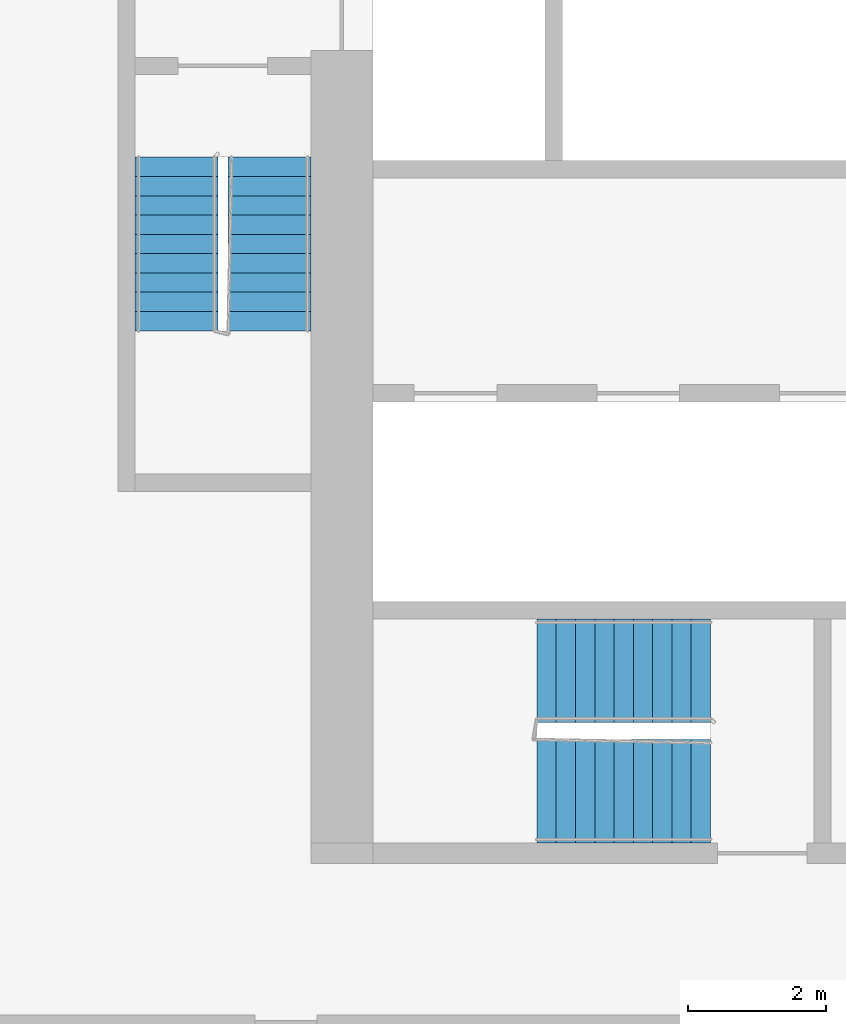
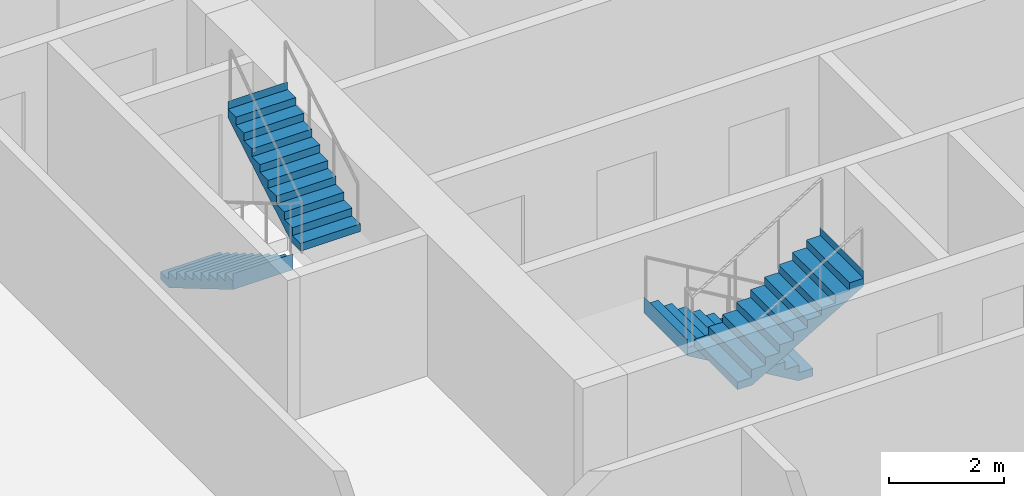
# One storey, part 9 of 12: 4 stair flights, 2 elements without a shape of their own.
"""IFC4 building model written with IfcOpenShell, lengths in metres."""

from ifc_helpers import new_model, si_unit, direction, frame, origin, place, context, subcontext, project, spatial, faceted_brep, material, type_object, element, aggregate, save


model = new_model("IFC4")

# Units and contexts
model_context = context("Model", 3, precision=1e-05, world=origin(), true_north=direction((0.0, 1.0)))
body_context = subcontext(model_context, "Body", "Model", "MODEL_VIEW")
ifc_project = project(units=[si_unit("LENGTHUNIT", "METRE"), si_unit("AREAUNIT", "SQUARE_METRE"), si_unit("VOLUMEUNIT", "CUBIC_METRE"), si_unit("PLANEANGLEUNIT", "RADIAN"), si_unit("MASSUNIT", "GRAM", prefix="KILO")], contexts=[model_context])

# Site, building, storey
site_placement = place(None, origin())
site = spatial("IfcSite", under=ifc_project, at=site_placement, CompositionType="ELEMENT")
building_placement = place(site_placement, origin())
building = spatial("IfcBuilding", under=site, at=building_placement, Name="Kajstack Hotel Tower", CompositionType="ELEMENT")
storey_placement = place(building_placement, frame((0.0, 0.0, 96.300048828125)))
storey = spatial("IfcBuildingStorey", under=building, at=storey_placement, Name="L20", CompositionType="ELEMENT", Elevation=96.300048828125)

# Stair, stair flights
ifc_material = material(Name="Concrete C40/50", Category="concrete")
stair_type_1 = type_object("IfcStairType", Name="Exit stair 1200", PredefinedType="HALF_TURN_STAIR", material=ifc_material)
stair_1_placement = place(storey_placement, origin())
stair_1 = element("IfcStair", 1, at=stair_1_placement, inside=storey, type_object=stair_type_1, Name="L20 stair W1", PredefinedType="HALF_TURN_STAIR")
stair_flight_type_1 = type_object("IfcStairFlightType", Name="Exit stair flight 1200", PredefinedType="STRAIGHT", material=ifc_material)
stair_flight_1_placement = place(storey_placement, frame((-33.449951171875, -5.25, 0.0), z_axis=(0.0, 0.0, 1.0), x_axis=(0.0, -1.0, 0.0)))
stair_flight_1 = element("IfcStairFlight", 2, at=stair_flight_1_placement, type_object=stair_flight_type_1, Name="W1 flight 1", NumberOfRisers=10, NumberOfTreads=9, PredefinedType="STRAIGHT", RiserHeight=0.165, TreadLength=0.28, context=body_context, shape_type="Brep", body=[
    faceted_brep([(0.295654296875, -0.60009765625, 0.0), (2.5205078125, -0.60009765625, 1.31103515625), (2.5205078125, -0.60009765625, 1.64990234375), (2.52001953125, -0.60009765625, 1.64990234375), (2.52001953125, -0.60009765625, 1.485107421875), (2.239990234375, -0.60009765625, 1.485107421875), (2.239990234375, -0.60009765625, 1.320068359375), (1.9599609375, -0.60009765625, 1.320068359375), (1.9599609375, -0.60009765625, 1.155029296875), (1.679931640625, -0.60009765625, 1.155029296875), (1.679931640625, -0.60009765625, 0.989990234375), (1.39990234375, -0.60009765625, 0.989990234375), (1.39990234375, -0.60009765625, 0.824951171875), (1.1201171875, -0.60009765625, 0.824951171875), (1.1201171875, -0.60009765625, 0.659912109375), (0.840087890625, -0.60009765625, 0.659912109375), (0.840087890625, -0.60009765625, 0.4951171875), (0.56005859375, -0.60009765625, 0.4951171875), (0.56005859375, -0.60009765625, 0.330078125), (0.280029296875, -0.60009765625, 0.330078125), (0.280029296875, -0.60009765625, 0.1650390625), (-0.00048828125, -0.60009765625, 0.1650390625), (-0.00048828125, -0.60009765625, 0.0), (-0.00048828125, 0.60009765625, 0.0), (-0.00048828125, 0.60009765625, 0.1650390625), (0.280029296875, 0.60009765625, 0.1650390625), (0.280029296875, 0.60009765625, 0.330078125), (0.56005859375, 0.60009765625, 0.330078125), (0.56005859375, 0.60009765625, 0.4951171875), (0.840087890625, 0.60009765625, 0.4951171875), (0.840087890625, 0.60009765625, 0.659912109375), (1.1201171875, 0.60009765625, 0.659912109375), (1.1201171875, 0.60009765625, 0.824951171875), (1.39990234375, 0.60009765625, 0.824951171875), (1.39990234375, 0.60009765625, 0.989990234375), (1.679931640625, 0.60009765625, 0.989990234375), (1.679931640625, 0.60009765625, 1.155029296875), (1.9599609375, 0.60009765625, 1.155029296875), (1.9599609375, 0.60009765625, 1.320068359375), (2.239990234375, 0.60009765625, 1.320068359375), (2.239990234375, 0.60009765625, 1.485107421875), (2.52001953125, 0.60009765625, 1.485107421875), (2.52001953125, 0.60009765625, 1.64990234375), (2.5205078125, 0.60009765625, 1.64990234375), (2.5205078125, 0.60009765625, 1.31103515625), (0.295654296875, 0.60009765625, 0.0), (-0.00048828125, -0.300048828125, 0.1650390625), (-0.00048828125, 0.0, 0.1650390625), (-0.00048828125, 0.300048828125, 0.1650390625), (-0.00048828125, 0.300048828125, 0.0), (-0.00048828125, 0.0, 0.0), (-0.00048828125, -0.300048828125, 0.0), (0.280029296875, -0.300048828125, 0.1650390625), (0.280029296875, 0.0, 0.1650390625), (0.280029296875, 0.300048828125, 0.1650390625), (0.280029296875, -0.300048828125, 0.330078125), (0.280029296875, 0.0, 0.330078125), (0.280029296875, 0.300048828125, 0.330078125), (0.56005859375, -0.300048828125, 0.330078125), (0.56005859375, 0.0, 0.330078125), (0.56005859375, 0.300048828125, 0.330078125), (0.56005859375, -0.300048828125, 0.4951171875), (0.56005859375, 0.0, 0.4951171875), (0.56005859375, 0.300048828125, 0.4951171875), (0.840087890625, -0.300048828125, 0.4951171875), (0.840087890625, 0.0, 0.4951171875), (0.840087890625, 0.300048828125, 0.4951171875), (0.840087890625, -0.300048828125, 0.659912109375), (0.840087890625, 0.0, 0.659912109375), (0.840087890625, 0.300048828125, 0.659912109375), (1.1201171875, -0.300048828125, 0.659912109375), (1.1201171875, 0.0, 0.659912109375), (1.1201171875, 0.300048828125, 0.659912109375), (1.1201171875, -0.300048828125, 0.824951171875), (1.1201171875, 0.0, 0.824951171875), (1.1201171875, 0.300048828125, 0.824951171875), (1.39990234375, -0.300048828125, 0.824951171875), (1.39990234375, 0.0, 0.824951171875), (1.39990234375, 0.300048828125, 0.824951171875), (1.39990234375, -0.300048828125, 0.989990234375), (1.39990234375, 0.0, 0.989990234375), (1.39990234375, 0.300048828125, 0.989990234375), (1.679931640625, -0.300048828125, 0.989990234375), (1.679931640625, 0.0, 0.989990234375), (1.679931640625, 0.300048828125, 0.989990234375), (1.679931640625, -0.300048828125, 1.155029296875), (1.679931640625, 0.0, 1.155029296875), (1.679931640625, 0.300048828125, 1.155029296875), (1.9599609375, -0.300048828125, 1.155029296875), (1.9599609375, 0.0, 1.155029296875), (1.9599609375, 0.300048828125, 1.155029296875), (1.9599609375, -0.300048828125, 1.320068359375), (1.9599609375, 0.0, 1.320068359375), (1.9599609375, 0.300048828125, 1.320068359375), (2.239990234375, -0.300048828125, 1.320068359375), (2.239990234375, 0.0, 1.320068359375), (2.239990234375, 0.300048828125, 1.320068359375), (2.239990234375, -0.300048828125, 1.485107421875), (2.239990234375, 0.0, 1.485107421875), (2.239990234375, 0.300048828125, 1.485107421875), (2.52001953125, -0.300048828125, 1.485107421875), (2.52001953125, 0.0, 1.485107421875), (2.52001953125, 0.300048828125, 1.485107421875), (2.52001953125, -0.300048828125, 1.64990234375), (2.52001953125, 0.0, 1.64990234375), (2.52001953125, 0.300048828125, 1.64990234375), (2.5205078125, -0.300048828125, 1.64990234375), (2.5205078125, 0.0, 1.64990234375), (2.5205078125, 0.300048828125, 1.64990234375), (2.5205078125, -0.300048828125, 1.31103515625), (2.5205078125, 0.0, 1.31103515625), (2.5205078125, 0.300048828125, 1.31103515625), (0.295654296875, -0.300048828125, 0.0), (0.295654296875, 0.0, 0.0), (0.295654296875, 0.300048828125, 0.0)], [[[0, 1, 2, 3, 4, 5, 6, 7, 8, 9, 10, 11, 12, 13, 14, 15, 16, 17, 18, 19, 20, 21, 22]], [[23, 24, 25, 26, 27, 28, 29, 30, 31, 32, 33, 34, 35, 36, 37, 38, 39, 40, 41, 42, 43, 44, 45]], [[21, 46, 47, 48, 24, 23, 49, 50, 51, 22]], [[20, 52, 53, 54, 25, 24, 48, 47, 46, 21]], [[19, 55, 56, 57, 26, 25, 54, 53, 52, 20]], [[18, 58, 59, 60, 27, 26, 57, 56, 55, 19]], [[17, 61, 62, 63, 28, 27, 60, 59, 58, 18]], [[16, 64, 65, 66, 29, 28, 63, 62, 61, 17]], [[15, 67, 68, 69, 30, 29, 66, 65, 64, 16]], [[14, 70, 71, 72, 31, 30, 69, 68, 67, 15]], [[13, 73, 74, 75, 32, 31, 72, 71, 70, 14]], [[12, 76, 77, 78, 33, 32, 75, 74, 73, 13]], [[11, 79, 80, 81, 34, 33, 78, 77, 76, 12]], [[10, 82, 83, 84, 35, 34, 81, 80, 79, 11]], [[9, 85, 86, 87, 36, 35, 84, 83, 82, 10]], [[8, 88, 89, 90, 37, 36, 87, 86, 85, 9]], [[7, 91, 92, 93, 38, 37, 90, 89, 88, 8]], [[6, 94, 95, 96, 39, 38, 93, 92, 91, 7]], [[5, 97, 98, 99, 40, 39, 96, 95, 94, 6]], [[4, 100, 101, 102, 41, 40, 99, 98, 97, 5]], [[3, 103, 104, 105, 42, 41, 102, 101, 100, 4]], [[2, 106, 107, 108, 43, 42, 105, 104, 103, 3]], [[1, 109, 110, 111, 44, 43, 108, 107, 106, 2]], [[0, 112, 113, 114, 45, 44, 111, 110, 109, 1]], [[22, 51, 50, 49, 23, 45, 114, 113, 112, 0]]]),
])
stair_flight_2_placement = place(storey_placement, frame((-32.10009765625, -7.77001953125, 1.64990234375), z_axis=(0.0, 0.0, 1.0), x_axis=(0.0, 1.0, 0.0)))
stair_flight_2 = element("IfcStairFlight", 3, at=stair_flight_2_placement, type_object=stair_flight_type_1, Name="W1 flight 2", NumberOfRisers=10, NumberOfTreads=9, PredefinedType="STRAIGHT", RiserHeight=0.165, TreadLength=0.28, context=body_context, shape_type="Brep", body=[
    faceted_brep([(0.295654296875, -0.60009765625, 0.0), (2.5205078125, -0.60009765625, 1.31103515625), (2.5205078125, -0.60009765625, 1.64990234375), (2.52001953125, -0.60009765625, 1.64990234375), (2.52001953125, -0.60009765625, 1.485107421875), (2.239990234375, -0.60009765625, 1.485107421875), (2.239990234375, -0.60009765625, 1.320068359375), (1.9599609375, -0.60009765625, 1.320068359375), (1.9599609375, -0.60009765625, 1.155029296875), (1.679931640625, -0.60009765625, 1.155029296875), (1.679931640625, -0.60009765625, 0.989990234375), (1.39990234375, -0.60009765625, 0.989990234375), (1.39990234375, -0.60009765625, 0.824951171875), (1.1201171875, -0.60009765625, 0.824951171875), (1.1201171875, -0.60009765625, 0.659912109375), (0.840087890625, -0.60009765625, 0.659912109375), (0.840087890625, -0.60009765625, 0.4951171875), (0.56005859375, -0.60009765625, 0.4951171875), (0.56005859375, -0.60009765625, 0.330078125), (0.280029296875, -0.60009765625, 0.330078125), (0.280029296875, -0.60009765625, 0.1650390625), (-0.00048828125, -0.60009765625, 0.1650390625), (-0.00048828125, -0.60009765625, 0.0), (-0.00048828125, 0.60009765625, 0.0), (-0.00048828125, 0.60009765625, 0.1650390625), (0.280029296875, 0.60009765625, 0.1650390625), (0.280029296875, 0.60009765625, 0.330078125), (0.56005859375, 0.60009765625, 0.330078125), (0.56005859375, 0.60009765625, 0.4951171875), (0.840087890625, 0.60009765625, 0.4951171875), (0.840087890625, 0.60009765625, 0.659912109375), (1.1201171875, 0.60009765625, 0.659912109375), (1.1201171875, 0.60009765625, 0.824951171875), (1.39990234375, 0.60009765625, 0.824951171875), (1.39990234375, 0.60009765625, 0.989990234375), (1.679931640625, 0.60009765625, 0.989990234375), (1.679931640625, 0.60009765625, 1.155029296875), (1.9599609375, 0.60009765625, 1.155029296875), (1.9599609375, 0.60009765625, 1.320068359375), (2.239990234375, 0.60009765625, 1.320068359375), (2.239990234375, 0.60009765625, 1.485107421875), (2.52001953125, 0.60009765625, 1.485107421875), (2.52001953125, 0.60009765625, 1.64990234375), (2.5205078125, 0.60009765625, 1.64990234375), (2.5205078125, 0.60009765625, 1.31103515625), (0.295654296875, 0.60009765625, 0.0), (-0.00048828125, -0.300048828125, 0.1650390625), (-0.00048828125, 0.0, 0.1650390625), (-0.00048828125, 0.300048828125, 0.1650390625), (-0.00048828125, 0.300048828125, 0.0), (-0.00048828125, 0.0, 0.0), (-0.00048828125, -0.300048828125, 0.0), (0.280029296875, -0.300048828125, 0.1650390625), (0.280029296875, 0.0, 0.1650390625), (0.280029296875, 0.300048828125, 0.1650390625), (0.280029296875, -0.300048828125, 0.330078125), (0.280029296875, 0.0, 0.330078125), (0.280029296875, 0.300048828125, 0.330078125), (0.56005859375, -0.300048828125, 0.330078125), (0.56005859375, 0.0, 0.330078125), (0.56005859375, 0.300048828125, 0.330078125), (0.56005859375, -0.300048828125, 0.4951171875), (0.56005859375, 0.0, 0.4951171875), (0.56005859375, 0.300048828125, 0.4951171875), (0.840087890625, -0.300048828125, 0.4951171875), (0.840087890625, 0.0, 0.4951171875), (0.840087890625, 0.300048828125, 0.4951171875), (0.840087890625, -0.300048828125, 0.659912109375), (0.840087890625, 0.0, 0.659912109375), (0.840087890625, 0.300048828125, 0.659912109375), (1.1201171875, -0.300048828125, 0.659912109375), (1.1201171875, 0.0, 0.659912109375), (1.1201171875, 0.300048828125, 0.659912109375), (1.1201171875, -0.300048828125, 0.824951171875), (1.1201171875, 0.0, 0.824951171875), (1.1201171875, 0.300048828125, 0.824951171875), (1.39990234375, -0.300048828125, 0.824951171875), (1.39990234375, 0.0, 0.824951171875), (1.39990234375, 0.300048828125, 0.824951171875), (1.39990234375, -0.300048828125, 0.989990234375), (1.39990234375, 0.0, 0.989990234375), (1.39990234375, 0.300048828125, 0.989990234375), (1.679931640625, -0.300048828125, 0.989990234375), (1.679931640625, 0.0, 0.989990234375), (1.679931640625, 0.300048828125, 0.989990234375), (1.679931640625, -0.300048828125, 1.155029296875), (1.679931640625, 0.0, 1.155029296875), (1.679931640625, 0.300048828125, 1.155029296875), (1.9599609375, -0.300048828125, 1.155029296875), (1.9599609375, 0.0, 1.155029296875), (1.9599609375, 0.300048828125, 1.155029296875), (1.9599609375, -0.300048828125, 1.320068359375), (1.9599609375, 0.0, 1.320068359375), (1.9599609375, 0.300048828125, 1.320068359375), (2.239990234375, -0.300048828125, 1.320068359375), (2.239990234375, 0.0, 1.320068359375), (2.239990234375, 0.300048828125, 1.320068359375), (2.239990234375, -0.300048828125, 1.485107421875), (2.239990234375, 0.0, 1.485107421875), (2.239990234375, 0.300048828125, 1.485107421875), (2.52001953125, -0.300048828125, 1.485107421875), (2.52001953125, 0.0, 1.485107421875), (2.52001953125, 0.300048828125, 1.485107421875), (2.52001953125, -0.300048828125, 1.64990234375), (2.52001953125, 0.0, 1.64990234375), (2.52001953125, 0.300048828125, 1.64990234375), (2.5205078125, -0.300048828125, 1.64990234375), (2.5205078125, 0.0, 1.64990234375), (2.5205078125, 0.300048828125, 1.64990234375), (2.5205078125, -0.300048828125, 1.31103515625), (2.5205078125, 0.0, 1.31103515625), (2.5205078125, 0.300048828125, 1.31103515625), (0.295654296875, -0.300048828125, 0.0), (0.295654296875, 0.0, 0.0), (0.295654296875, 0.300048828125, 0.0)], [[[0, 1, 2, 3, 4, 5, 6, 7, 8, 9, 10, 11, 12, 13, 14, 15, 16, 17, 18, 19, 20, 21, 22]], [[23, 24, 25, 26, 27, 28, 29, 30, 31, 32, 33, 34, 35, 36, 37, 38, 39, 40, 41, 42, 43, 44, 45]], [[21, 46, 47, 48, 24, 23, 49, 50, 51, 22]], [[20, 52, 53, 54, 25, 24, 48, 47, 46, 21]], [[19, 55, 56, 57, 26, 25, 54, 53, 52, 20]], [[18, 58, 59, 60, 27, 26, 57, 56, 55, 19]], [[17, 61, 62, 63, 28, 27, 60, 59, 58, 18]], [[16, 64, 65, 66, 29, 28, 63, 62, 61, 17]], [[15, 67, 68, 69, 30, 29, 66, 65, 64, 16]], [[14, 70, 71, 72, 31, 30, 69, 68, 67, 15]], [[13, 73, 74, 75, 32, 31, 72, 71, 70, 14]], [[12, 76, 77, 78, 33, 32, 75, 74, 73, 13]], [[11, 79, 80, 81, 34, 33, 78, 77, 76, 12]], [[10, 82, 83, 84, 35, 34, 81, 80, 79, 11]], [[9, 85, 86, 87, 36, 35, 84, 83, 82, 10]], [[8, 88, 89, 90, 37, 36, 87, 86, 85, 9]], [[7, 91, 92, 93, 38, 37, 90, 89, 88, 8]], [[6, 94, 95, 96, 39, 38, 93, 92, 91, 7]], [[5, 97, 98, 99, 40, 39, 96, 95, 94, 6]], [[4, 100, 101, 102, 41, 40, 99, 98, 97, 5]], [[3, 103, 104, 105, 42, 41, 102, 101, 100, 4]], [[2, 106, 107, 108, 43, 42, 105, 104, 103, 3]], [[1, 109, 110, 111, 44, 43, 108, 107, 106, 2]], [[0, 112, 113, 114, 45, 44, 111, 110, 109, 1]], [[22, 51, 50, 49, 23, 45, 114, 113, 112, 0]]]),
])
aggregate(stair_1, [stair_flight_1, stair_flight_2])

stair_type_2 = type_object("IfcStairType", Name="Exit stair 1500", PredefinedType="HALF_TURN_STAIR", material=ifc_material)
stair_2_placement = place(storey_placement, origin())
stair_2 = element("IfcStair", 4, at=stair_2_placement, inside=storey, type_object=stair_type_2, Name="L20 stair W3", PredefinedType="HALF_TURN_STAIR")
stair_flight_type_2 = type_object("IfcStairFlightType", Name="Exit stair flight 1500", PredefinedType="STRAIGHT", material=ifc_material)
stair_flight_3_placement = place(storey_placement, frame((-25.699951171875, -12.699951171875, 0.0), z_axis=(0.0, 0.0, 1.0), x_axis=(-1.0, 0.0, 0.0)))
stair_flight_3 = element("IfcStairFlight", 5, at=stair_flight_3_placement, type_object=stair_flight_type_2, Name="W3 flight 1", NumberOfRisers=10, NumberOfTreads=9, PredefinedType="STRAIGHT", RiserHeight=0.165, TreadLength=0.28, context=body_context, shape_type="Brep", body=[
    faceted_brep([(0.295654296875, -0.75, 0.0), (2.5205078125, -0.75, 1.31103515625), (2.5205078125, -0.75, 1.64990234375), (2.52001953125, -0.75, 1.64990234375), (2.52001953125, -0.75, 1.485107421875), (2.239990234375, -0.75, 1.485107421875), (2.239990234375, -0.75, 1.320068359375), (1.9599609375, -0.75, 1.320068359375), (1.9599609375, -0.75, 1.155029296875), (1.679931640625, -0.75, 1.155029296875), (1.679931640625, -0.75, 0.989990234375), (1.39990234375, -0.75, 0.989990234375), (1.39990234375, -0.75, 0.824951171875), (1.1201171875, -0.75, 0.824951171875), (1.1201171875, -0.75, 0.659912109375), (0.840087890625, -0.75, 0.659912109375), (0.840087890625, -0.75, 0.4951171875), (0.56005859375, -0.75, 0.4951171875), (0.56005859375, -0.75, 0.330078125), (0.280029296875, -0.75, 0.330078125), (0.280029296875, -0.75, 0.1650390625), (-0.00048828125, -0.75, 0.1650390625), (-0.00048828125, -0.75, 0.0), (-0.00048828125, 0.75, 0.0), (-0.00048828125, 0.75, 0.1650390625), (0.280029296875, 0.75, 0.1650390625), (0.280029296875, 0.75, 0.330078125), (0.56005859375, 0.75, 0.330078125), (0.56005859375, 0.75, 0.4951171875), (0.840087890625, 0.75, 0.4951171875), (0.840087890625, 0.75, 0.659912109375), (1.1201171875, 0.75, 0.659912109375), (1.1201171875, 0.75, 0.824951171875), (1.39990234375, 0.75, 0.824951171875), (1.39990234375, 0.75, 0.989990234375), (1.679931640625, 0.75, 0.989990234375), (1.679931640625, 0.75, 1.155029296875), (1.9599609375, 0.75, 1.155029296875), (1.9599609375, 0.75, 1.320068359375), (2.239990234375, 0.75, 1.320068359375), (2.239990234375, 0.75, 1.485107421875), (2.52001953125, 0.75, 1.485107421875), (2.52001953125, 0.75, 1.64990234375), (2.5205078125, 0.75, 1.64990234375), (2.5205078125, 0.75, 1.31103515625), (0.295654296875, 0.75, 0.0), (-0.00048828125, -0.375, 0.1650390625), (-0.00048828125, 0.0, 0.1650390625), (-0.00048828125, 0.375, 0.1650390625), (-0.00048828125, 0.375, 0.0), (-0.00048828125, 0.0, 0.0), (-0.00048828125, -0.375, 0.0), (0.280029296875, -0.375, 0.1650390625), (0.280029296875, 0.0, 0.1650390625), (0.280029296875, 0.375, 0.1650390625), (0.280029296875, -0.375, 0.330078125), (0.280029296875, 0.0, 0.330078125), (0.280029296875, 0.375, 0.330078125), (0.56005859375, -0.375, 0.330078125), (0.56005859375, 0.0, 0.330078125), (0.56005859375, 0.375, 0.330078125), (0.56005859375, -0.375, 0.4951171875), (0.56005859375, 0.0, 0.4951171875), (0.56005859375, 0.375, 0.4951171875), (0.840087890625, -0.375, 0.4951171875), (0.840087890625, 0.0, 0.4951171875), (0.840087890625, 0.375, 0.4951171875), (0.840087890625, -0.375, 0.659912109375), (0.840087890625, 0.0, 0.659912109375), (0.840087890625, 0.375, 0.659912109375), (1.1201171875, -0.375, 0.659912109375), (1.1201171875, 0.0, 0.659912109375), (1.1201171875, 0.375, 0.659912109375), (1.1201171875, -0.375, 0.824951171875), (1.1201171875, 0.0, 0.824951171875), (1.1201171875, 0.375, 0.824951171875), (1.39990234375, -0.375, 0.824951171875), (1.39990234375, 0.0, 0.824951171875), (1.39990234375, 0.375, 0.824951171875), (1.39990234375, -0.375, 0.989990234375), (1.39990234375, 0.0, 0.989990234375), (1.39990234375, 0.375, 0.989990234375), (1.679931640625, -0.375, 0.989990234375), (1.679931640625, 0.0, 0.989990234375), (1.679931640625, 0.375, 0.989990234375), (1.679931640625, -0.375, 1.155029296875), (1.679931640625, 0.0, 1.155029296875), (1.679931640625, 0.375, 1.155029296875), (1.9599609375, -0.375, 1.155029296875), (1.9599609375, 0.0, 1.155029296875), (1.9599609375, 0.375, 1.155029296875), (1.9599609375, -0.375, 1.320068359375), (1.9599609375, 0.0, 1.320068359375), (1.9599609375, 0.375, 1.320068359375), (2.239990234375, -0.375, 1.320068359375), (2.239990234375, 0.0, 1.320068359375), (2.239990234375, 0.375, 1.320068359375), (2.239990234375, -0.375, 1.485107421875), (2.239990234375, 0.0, 1.485107421875), (2.239990234375, 0.375, 1.485107421875), (2.52001953125, -0.375, 1.485107421875), (2.52001953125, 0.0, 1.485107421875), (2.52001953125, 0.375, 1.485107421875), (2.52001953125, -0.375, 1.64990234375), (2.52001953125, 0.0, 1.64990234375), (2.52001953125, 0.375, 1.64990234375), (2.5205078125, -0.375, 1.64990234375), (2.5205078125, 0.0, 1.64990234375), (2.5205078125, 0.375, 1.64990234375), (2.5205078125, -0.375, 1.31103515625), (2.5205078125, 0.0, 1.31103515625), (2.5205078125, 0.375, 1.31103515625), (0.295654296875, -0.375, 0.0), (0.295654296875, 0.0, 0.0), (0.295654296875, 0.375, 0.0)], [[[0, 1, 2, 3, 4, 5, 6, 7, 8, 9, 10, 11, 12, 13, 14, 15, 16, 17, 18, 19, 20, 21, 22]], [[23, 24, 25, 26, 27, 28, 29, 30, 31, 32, 33, 34, 35, 36, 37, 38, 39, 40, 41, 42, 43, 44, 45]], [[21, 46, 47, 48, 24, 23, 49, 50, 51, 22]], [[20, 52, 53, 54, 25, 24, 48, 47, 46, 21]], [[19, 55, 56, 57, 26, 25, 54, 53, 52, 20]], [[18, 58, 59, 60, 27, 26, 57, 56, 55, 19]], [[17, 61, 62, 63, 28, 27, 60, 59, 58, 18]], [[16, 64, 65, 66, 29, 28, 63, 62, 61, 17]], [[15, 67, 68, 69, 30, 29, 66, 65, 64, 16]], [[14, 70, 71, 72, 31, 30, 69, 68, 67, 15]], [[13, 73, 74, 75, 32, 31, 72, 71, 70, 14]], [[12, 76, 77, 78, 33, 32, 75, 74, 73, 13]], [[11, 79, 80, 81, 34, 33, 78, 77, 76, 12]], [[10, 82, 83, 84, 35, 34, 81, 80, 79, 11]], [[9, 85, 86, 87, 36, 35, 84, 83, 82, 10]], [[8, 88, 89, 90, 37, 36, 87, 86, 85, 9]], [[7, 91, 92, 93, 38, 37, 90, 89, 88, 8]], [[6, 94, 95, 96, 39, 38, 93, 92, 91, 7]], [[5, 97, 98, 99, 40, 39, 96, 95, 94, 6]], [[4, 100, 101, 102, 41, 40, 99, 98, 97, 5]], [[3, 103, 104, 105, 42, 41, 102, 101, 100, 4]], [[2, 106, 107, 108, 43, 42, 105, 104, 103, 3]], [[1, 109, 110, 111, 44, 43, 108, 107, 106, 2]], [[0, 112, 113, 114, 45, 44, 111, 110, 109, 1]], [[22, 51, 50, 49, 23, 45, 114, 113, 112, 0]]]),
])
stair_flight_4_placement = place(storey_placement, frame((-28.219970703125, -14.449951171875, 1.64990234375), z_axis=(0.0, 0.0, 1.0), x_axis=(1.0, 0.0, 0.0)))
stair_flight_4 = element("IfcStairFlight", 6, at=stair_flight_4_placement, type_object=stair_flight_type_2, Name="W3 flight 2", NumberOfRisers=10, NumberOfTreads=9, PredefinedType="STRAIGHT", RiserHeight=0.165, TreadLength=0.28, context=body_context, shape_type="Brep", body=[
    faceted_brep([(0.295654296875, -0.75, 0.0), (2.5205078125, -0.75, 1.31103515625), (2.5205078125, -0.75, 1.64990234375), (2.52001953125, -0.75, 1.64990234375), (2.52001953125, -0.75, 1.485107421875), (2.239990234375, -0.75, 1.485107421875), (2.239990234375, -0.75, 1.320068359375), (1.9599609375, -0.75, 1.320068359375), (1.9599609375, -0.75, 1.155029296875), (1.679931640625, -0.75, 1.155029296875), (1.679931640625, -0.75, 0.989990234375), (1.39990234375, -0.75, 0.989990234375), (1.39990234375, -0.75, 0.824951171875), (1.1201171875, -0.75, 0.824951171875), (1.1201171875, -0.75, 0.659912109375), (0.840087890625, -0.75, 0.659912109375), (0.840087890625, -0.75, 0.4951171875), (0.56005859375, -0.75, 0.4951171875), (0.56005859375, -0.75, 0.330078125), (0.280029296875, -0.75, 0.330078125), (0.280029296875, -0.75, 0.1650390625), (-0.00048828125, -0.75, 0.1650390625), (-0.00048828125, -0.75, 0.0), (-0.00048828125, 0.75, 0.0), (-0.00048828125, 0.75, 0.1650390625), (0.280029296875, 0.75, 0.1650390625), (0.280029296875, 0.75, 0.330078125), (0.56005859375, 0.75, 0.330078125), (0.56005859375, 0.75, 0.4951171875), (0.840087890625, 0.75, 0.4951171875), (0.840087890625, 0.75, 0.659912109375), (1.1201171875, 0.75, 0.659912109375), (1.1201171875, 0.75, 0.824951171875), (1.39990234375, 0.75, 0.824951171875), (1.39990234375, 0.75, 0.989990234375), (1.679931640625, 0.75, 0.989990234375), (1.679931640625, 0.75, 1.155029296875), (1.9599609375, 0.75, 1.155029296875), (1.9599609375, 0.75, 1.320068359375), (2.239990234375, 0.75, 1.320068359375), (2.239990234375, 0.75, 1.485107421875), (2.52001953125, 0.75, 1.485107421875), (2.52001953125, 0.75, 1.64990234375), (2.5205078125, 0.75, 1.64990234375), (2.5205078125, 0.75, 1.31103515625), (0.295654296875, 0.75, 0.0), (-0.00048828125, -0.375, 0.1650390625), (-0.00048828125, 0.0, 0.1650390625), (-0.00048828125, 0.375, 0.1650390625), (-0.00048828125, 0.375, 0.0), (-0.00048828125, 0.0, 0.0), (-0.00048828125, -0.375, 0.0), (0.280029296875, -0.375, 0.1650390625), (0.280029296875, 0.0, 0.1650390625), (0.280029296875, 0.375, 0.1650390625), (0.280029296875, -0.375, 0.330078125), (0.280029296875, 0.0, 0.330078125), (0.280029296875, 0.375, 0.330078125), (0.56005859375, -0.375, 0.330078125), (0.56005859375, 0.0, 0.330078125), (0.56005859375, 0.375, 0.330078125), (0.56005859375, -0.375, 0.4951171875), (0.56005859375, 0.0, 0.4951171875), (0.56005859375, 0.375, 0.4951171875), (0.840087890625, -0.375, 0.4951171875), (0.840087890625, 0.0, 0.4951171875), (0.840087890625, 0.375, 0.4951171875), (0.840087890625, -0.375, 0.659912109375), (0.840087890625, 0.0, 0.659912109375), (0.840087890625, 0.375, 0.659912109375), (1.1201171875, -0.375, 0.659912109375), (1.1201171875, 0.0, 0.659912109375), (1.1201171875, 0.375, 0.659912109375), (1.1201171875, -0.375, 0.824951171875), (1.1201171875, 0.0, 0.824951171875), (1.1201171875, 0.375, 0.824951171875), (1.39990234375, -0.375, 0.824951171875), (1.39990234375, 0.0, 0.824951171875), (1.39990234375, 0.375, 0.824951171875), (1.39990234375, -0.375, 0.989990234375), (1.39990234375, 0.0, 0.989990234375), (1.39990234375, 0.375, 0.989990234375), (1.679931640625, -0.375, 0.989990234375), (1.679931640625, 0.0, 0.989990234375), (1.679931640625, 0.375, 0.989990234375), (1.679931640625, -0.375, 1.155029296875), (1.679931640625, 0.0, 1.155029296875), (1.679931640625, 0.375, 1.155029296875), (1.9599609375, -0.375, 1.155029296875), (1.9599609375, 0.0, 1.155029296875), (1.9599609375, 0.375, 1.155029296875), (1.9599609375, -0.375, 1.320068359375), (1.9599609375, 0.0, 1.320068359375), (1.9599609375, 0.375, 1.320068359375), (2.239990234375, -0.375, 1.320068359375), (2.239990234375, 0.0, 1.320068359375), (2.239990234375, 0.375, 1.320068359375), (2.239990234375, -0.375, 1.485107421875), (2.239990234375, 0.0, 1.485107421875), (2.239990234375, 0.375, 1.485107421875), (2.52001953125, -0.375, 1.485107421875), (2.52001953125, 0.0, 1.485107421875), (2.52001953125, 0.375, 1.485107421875), (2.52001953125, -0.375, 1.64990234375), (2.52001953125, 0.0, 1.64990234375), (2.52001953125, 0.375, 1.64990234375), (2.5205078125, -0.375, 1.64990234375), (2.5205078125, 0.0, 1.64990234375), (2.5205078125, 0.375, 1.64990234375), (2.5205078125, -0.375, 1.31103515625), (2.5205078125, 0.0, 1.31103515625), (2.5205078125, 0.375, 1.31103515625), (0.295654296875, -0.375, 0.0), (0.295654296875, 0.0, 0.0), (0.295654296875, 0.375, 0.0)], [[[0, 1, 2, 3, 4, 5, 6, 7, 8, 9, 10, 11, 12, 13, 14, 15, 16, 17, 18, 19, 20, 21, 22]], [[23, 24, 25, 26, 27, 28, 29, 30, 31, 32, 33, 34, 35, 36, 37, 38, 39, 40, 41, 42, 43, 44, 45]], [[21, 46, 47, 48, 24, 23, 49, 50, 51, 22]], [[20, 52, 53, 54, 25, 24, 48, 47, 46, 21]], [[19, 55, 56, 57, 26, 25, 54, 53, 52, 20]], [[18, 58, 59, 60, 27, 26, 57, 56, 55, 19]], [[17, 61, 62, 63, 28, 27, 60, 59, 58, 18]], [[16, 64, 65, 66, 29, 28, 63, 62, 61, 17]], [[15, 67, 68, 69, 30, 29, 66, 65, 64, 16]], [[14, 70, 71, 72, 31, 30, 69, 68, 67, 15]], [[13, 73, 74, 75, 32, 31, 72, 71, 70, 14]], [[12, 76, 77, 78, 33, 32, 75, 74, 73, 13]], [[11, 79, 80, 81, 34, 33, 78, 77, 76, 12]], [[10, 82, 83, 84, 35, 34, 81, 80, 79, 11]], [[9, 85, 86, 87, 36, 35, 84, 83, 82, 10]], [[8, 88, 89, 90, 37, 36, 87, 86, 85, 9]], [[7, 91, 92, 93, 38, 37, 90, 89, 88, 8]], [[6, 94, 95, 96, 39, 38, 93, 92, 91, 7]], [[5, 97, 98, 99, 40, 39, 96, 95, 94, 6]], [[4, 100, 101, 102, 41, 40, 99, 98, 97, 5]], [[3, 103, 104, 105, 42, 41, 102, 101, 100, 4]], [[2, 106, 107, 108, 43, 42, 105, 104, 103, 3]], [[1, 109, 110, 111, 44, 43, 108, 107, 106, 2]], [[0, 112, 113, 114, 45, 44, 111, 110, 109, 1]], [[22, 51, 50, 49, 23, 45, 114, 113, 112, 0]]]),
])
aggregate(stair_2, [stair_flight_3, stair_flight_4])

save(model, "model.ifc")
